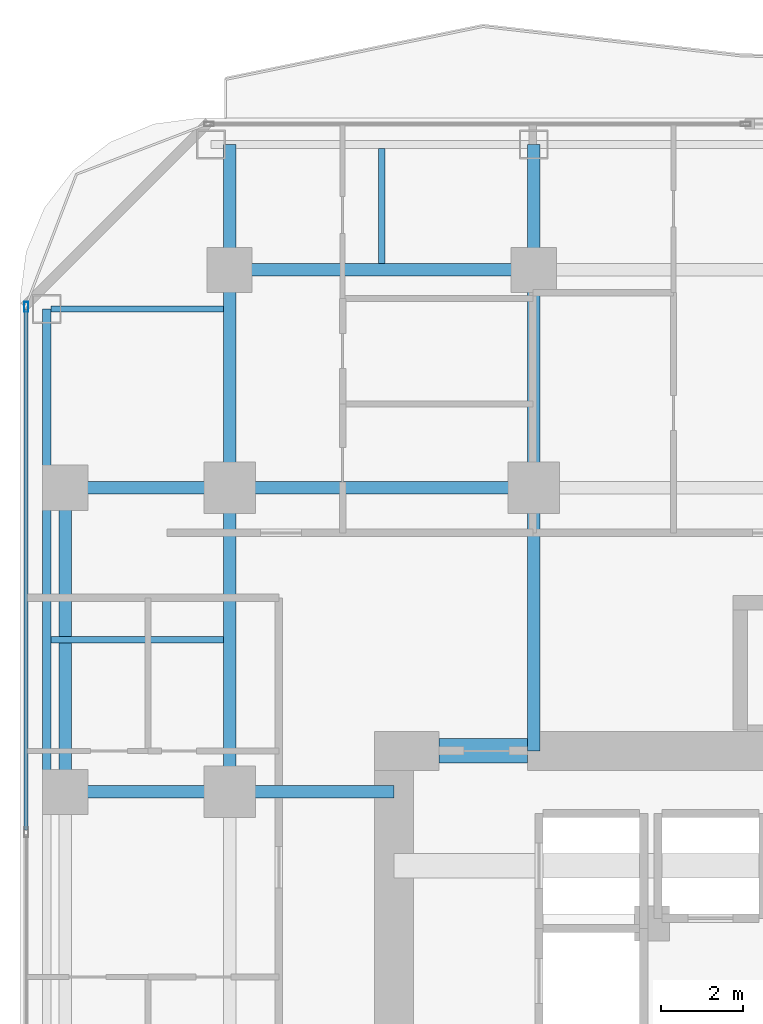
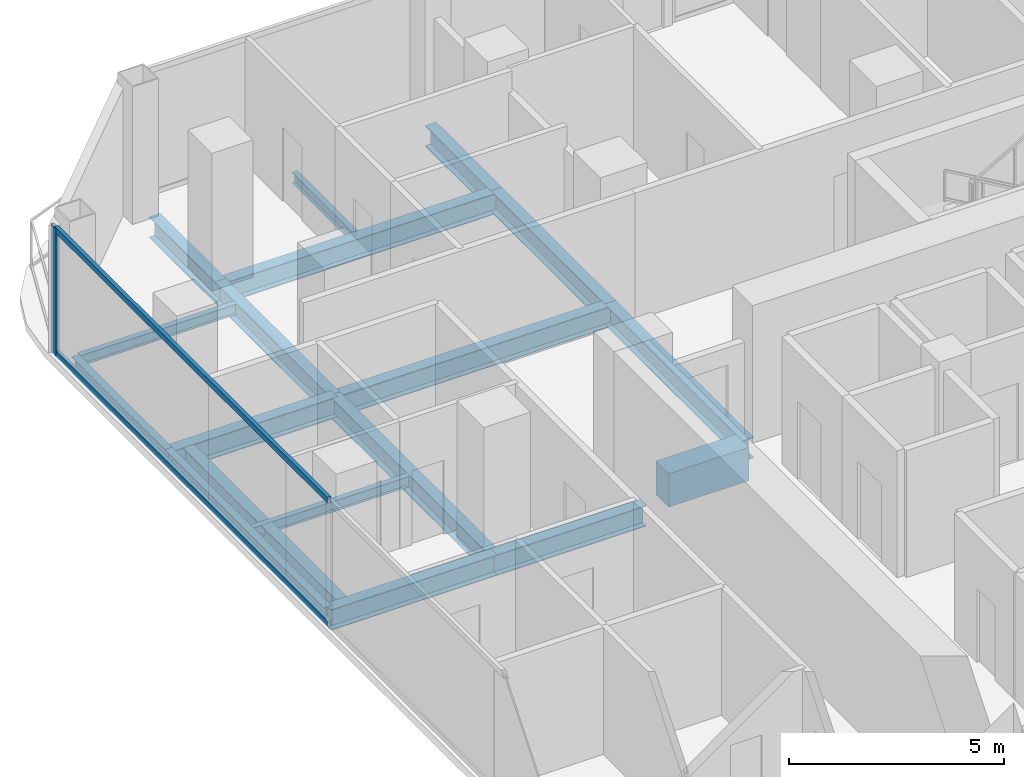
# One storey, part 12 of 27: 18 beams, 3 members, 1 element without a shape of its own.
"""IFC4 building model written with IfcOpenShell, lengths in metres."""

from ifc_helpers import new_model, si_unit, direction, frame, origin, origin_2d, place, context, subcontext, project, spatial, rectangle, hollow_rectangle, i_section, extrude, material, layer, layer_set, material_profile, profile_set, type_object, element, aggregate, save


model = new_model("IFC4")

# Units and contexts
model_context = context("Model", 3, precision=1e-05, world=origin(), true_north=direction((0.0, 1.0)))
body_context = subcontext(model_context, "Body", "Model", "MODEL_VIEW")
ifc_project = project(units=[si_unit("LENGTHUNIT", "METRE"), si_unit("AREAUNIT", "SQUARE_METRE"), si_unit("VOLUMEUNIT", "CUBIC_METRE"), si_unit("PLANEANGLEUNIT", "RADIAN"), si_unit("MASSUNIT", "GRAM", prefix="KILO")], contexts=[model_context])

# Site, building, storey
site_placement = place(None, origin())
site = spatial("IfcSite", under=ifc_project, at=site_placement, CompositionType="ELEMENT")
building_placement = place(site_placement, origin())
building = spatial("IfcBuilding", under=site, at=building_placement, Name="Khorvyn Point Tower", CompositionType="ELEMENT")
storey_placement = place(building_placement, frame((0.0, 0.0, 152.39990234375)))
storey = spatial("IfcBuildingStorey", under=building, at=storey_placement, Name="L38", CompositionType="ELEMENT", Elevation=152.39990234375)

# Curtain wall, members
ifc_material_1 = material(Name="Anodised aluminium 6063-T6 and laminated Low-E glass", Category="aluminium")
ifc_layer = layer(ifc_material_1, 0.18994140625)
ifc_layer_set = layer_set([ifc_layer], Name="Stick-Built Acoustic Curtain Wall CW-SYS-03")
curtain_wall_type = type_object("IfcCurtainWallType", Name="Stick-Built Acoustic Curtain Wall CW-SYS-03", PredefinedType="NOTDEFINED", material=ifc_layer_set)
curtain_wall_placement = place(storey_placement, origin())
curtain_wall = element("IfcCurtainWall", 1, at=curtain_wall_placement, inside=storey, type_object=curtain_wall_type, Name="Curtain Wall", PredefinedType="NOTDEFINED")
ifc_material_2 = material(Name="Anodised aluminium 6063-T6", Category="aluminium")
ifc_material_profile_1 = material_profile(ifc_material_2, hollow_rectangle(XDim=0.10009765625, YDim=0.239990234375, WallThickness=0.0048828125, at=origin_2d()))
ifc_profile_set_1 = profile_set([ifc_material_profile_1], Name="Anodised aluminium 6063-T6 ALU-MUL-100x240")
member_type_1 = type_object("IfcMemberType", Name="Anodised Aluminium 6063-T6 Mullion ALU-MUL-100x240", PredefinedType="MULLION", material=ifc_profile_set_1)
member_1_placement = place(storey_placement, frame((-19.75, 19.199951171875, 0.0), z_axis=(0.0, 0.0, 1.0), x_axis=(-1.0, 0.0, 0.0)))
member_1 = element("IfcMember", 2, at=member_1_placement, type_object=member_type_1, Name="Transom", PredefinedType="MULLION", context=body_context, shape_type="SweptSolid", body=[
    extrude(hollow_rectangle(XDim=0.10009765625, YDim=0.239990234375, WallThickness=0.0048828125, at=origin_2d()), origin(), (0.0, 0.0, 1.0), 3.60009765625),
])
ifc_material_profile_2 = material_profile(ifc_material_2, hollow_rectangle(XDim=0.10009765625, YDim=0.159912109375, WallThickness=0.00439453125, at=origin_2d()))
ifc_profile_set_2 = profile_set([ifc_material_profile_2], Name="Anodised aluminium 6063-T6 ALU-TRN-100x160")
member_type_2 = type_object("IfcMemberType", Name="Anodised Aluminium 6063-T6 Transom ALU-TRN-100x160", PredefinedType="USERDEFINED", material=ifc_profile_set_2)
member_2_placement = place(storey_placement, frame((-19.75, 6.466552734375, 0.050048828125), z_axis=(0.0, 1.0, 0.0), x_axis=(-1.0, 0.0, 0.0)))
member_2 = element("IfcMember", 3, at=member_2_placement, type_object=member_type_2, Name="Transom", ObjectType="TRANSOM", PredefinedType="USERDEFINED", context=body_context, shape_type="SweptSolid", body=[
    extrude(hollow_rectangle(XDim=0.10009765625, YDim=0.159912109375, WallThickness=0.00439453125, at=origin_2d()), origin(), (0.0, 0.0, 1.0), 12.683349609375),
])
member_3_placement = place(storey_placement, frame((-19.75, 6.466552734375, 3.550048828125), z_axis=(0.0, 1.0, 0.0), x_axis=(-1.0, 0.0, 0.0)))
member_3 = element("IfcMember", 4, at=member_3_placement, type_object=member_type_2, Name="Transom", ObjectType="TRANSOM", PredefinedType="USERDEFINED", context=body_context, shape_type="SweptSolid", body=[
    extrude(hollow_rectangle(XDim=0.10009765625, YDim=0.159912109375, WallThickness=0.00439453125, at=origin_2d()), origin(), (0.0, 0.0, 1.0), 12.683349609375),
])
aggregate(curtain_wall, [member_1, member_2, member_3])

# Beams
ifc_material_3 = material(Name="Concrete C50/60", Category="concrete")
ifc_material_profile_3 = material_profile(ifc_material_3, rectangle(XDim=0.60009765625, YDim=0.949951171875, at=origin_2d()))
ifc_profile_set_3 = profile_set([ifc_material_profile_3], Name="Concrete C50/60 RC600x950")
beam_type_1 = type_object("IfcBeamType", Name="Concrete C50/60 Beam RC600x950", PredefinedType="BEAM", material=ifc_profile_set_3)
beam_1_placement = place(storey_placement, frame((-9.699951171875, 8.39990234375, -0.69482421875), z_axis=(1.0, 0.0, 0.0), x_axis=(0.0, 1.0, 0.0)))
element("IfcBeam", 5, at=beam_1_placement, inside=storey, type_object=beam_type_1, Name="L38 Core Northwest Portal Coupling Beam", PredefinedType="BEAM", context=body_context, shape_type="SweptSolid", body=[
    extrude(rectangle(XDim=0.60009765625, YDim=0.949951171875, at=origin_2d()), origin(), (0.0, 0.0, 1.0), 2.14990234375),
])
ifc_material_4 = material(Name="Steel S355", Category="steel")
ifc_material_profile_4 = material_profile(ifc_material_4, i_section(OverallWidth=0.300048828125, OverallDepth=0.587890625, WebThickness=0.011962890625, FlangeThickness=0.02001953125, at=origin_2d()))
ifc_profile_set_4 = profile_set([ifc_material_profile_4], Name="Steel S355 H588x300x12x20")
beam_type_2 = type_object("IfcBeamType", Name="Steel S355 Beam H588x300x12x20", PredefinedType="BEAM", material=ifc_profile_set_4)
beam_2_placement = place(storey_placement, frame((-19.25, 14.800048828125, -0.513916015625), z_axis=(1.0, 0.0, 0.0), x_axis=(0.0, 1.0, 0.0)))
element("IfcBeam", 6, at=beam_2_placement, inside=storey, type_object=beam_type_2, Name="Beam", PredefinedType="BEAM", context=body_context, shape_type="SweptSolid", body=[
    extrude(i_section(OverallWidth=0.300048828125, OverallDepth=0.587890625, WebThickness=0.011962890625, FlangeThickness=0.02001953125, at=origin_2d()), origin(), (0.0, 0.0, 1.0), 4.449951171875),
])
beam_3_placement = place(storey_placement, frame((-14.800048828125, 14.800048828125, -0.513916015625), z_axis=(1.0, 0.0, 0.0), x_axis=(0.0, 1.0, 0.0)))
element("IfcBeam", 7, at=beam_3_placement, inside=storey, type_object=beam_type_2, Name="Beam", PredefinedType="BEAM", context=body_context, shape_type="SweptSolid", body=[
    extrude(i_section(OverallWidth=0.300048828125, OverallDepth=0.587890625, WebThickness=0.011962890625, FlangeThickness=0.02001953125, at=origin_2d()), origin(), (0.0, 0.0, 1.0), 7.400146484375),
])
beam_4_placement = place(storey_placement, frame((-19.25, 7.39990234375, -0.513916015625), z_axis=(1.0, 0.0, 0.0), x_axis=(0.0, 1.0, 0.0)))
element("IfcBeam", 8, at=beam_4_placement, inside=storey, type_object=beam_type_2, Name="Beam", PredefinedType="BEAM", context=body_context, shape_type="SweptSolid", body=[
    extrude(i_section(OverallWidth=0.300048828125, OverallDepth=0.587890625, WebThickness=0.011962890625, FlangeThickness=0.02001953125, at=origin_2d()), origin(), (0.0, 0.0, 1.0), 4.449951171875),
])
beam_5_placement = place(storey_placement, frame((-14.800048828125, 7.39990234375, -0.513916015625), z_axis=(1.0, 0.0, 0.0), x_axis=(0.0, 1.0, 0.0)))
element("IfcBeam", 9, at=beam_5_placement, inside=storey, type_object=beam_type_2, Name="Beam", PredefinedType="BEAM", context=body_context, shape_type="SweptSolid", body=[
    extrude(i_section(OverallWidth=0.300048828125, OverallDepth=0.587890625, WebThickness=0.011962890625, FlangeThickness=0.02001953125, at=origin_2d()), origin(), (0.0, 0.0, 1.0), 4.0),
])
for number, where, z_axis, x_axis, name in (
    (10, (-14.800048828125, 20.10009765625, -0.513916015625), (1.0, 0.0, 0.0), (0.0, 1.0, 0.0), "Beam"),
    (11, (-14.800048828125, 7.39990234375, -0.513916015625), (0.0, 1.0, 0.0), (-1.0, 0.0, 0.0), "Beam"),
):
    element("IfcBeam", number, at=place(storey_placement, frame(where, z_axis=z_axis, x_axis=x_axis)), inside=storey, type_object=beam_type_2, Name=name, PredefinedType="BEAM", context=body_context, shape_type="SweptSolid", body=[
        extrude(i_section(OverallWidth=0.300048828125, OverallDepth=0.587890625, WebThickness=0.011962890625, FlangeThickness=0.02001953125, at=origin_2d()), origin(), (0.0, 0.0, 1.0), 7.400146484375),
    ])
beam_6_placement = place(storey_placement, frame((-14.800048828125, 14.800048828125, -0.513916015625), z_axis=(0.0, 1.0, 0.0), x_axis=(-1.0, 0.0, 0.0)))
element("IfcBeam", 12, at=beam_6_placement, inside=storey, type_object=beam_type_2, Name="Beam", PredefinedType="BEAM", context=body_context, shape_type="SweptSolid", body=[
    extrude(i_section(OverallWidth=0.300048828125, OverallDepth=0.587890625, WebThickness=0.011962890625, FlangeThickness=0.02001953125, at=origin_2d()), origin(), (0.0, 0.0, 1.0), 5.300048828125),
])
beam_7_placement = place(storey_placement, frame((-14.800048828125, 20.10009765625, -0.513916015625), z_axis=(0.0, 1.0, 0.0), x_axis=(-1.0, 0.0, 0.0)))
element("IfcBeam", 13, at=beam_7_placement, inside=storey, type_object=beam_type_2, Name="Beam", PredefinedType="BEAM", context=body_context, shape_type="SweptSolid", body=[
    extrude(i_section(OverallWidth=0.300048828125, OverallDepth=0.587890625, WebThickness=0.011962890625, FlangeThickness=0.02001953125, at=origin_2d()), origin(), (0.0, 0.0, 1.0), 3.0498046875),
])
beam_8_placement = place(storey_placement, frame((-7.39990234375, 8.39990234375, -0.513916015625), z_axis=(0.0, 1.0, 0.0), x_axis=(-1.0, 0.0, 0.0)))
element("IfcBeam", 14, at=beam_8_placement, inside=storey, type_object=beam_type_2, Name="Beam", PredefinedType="BEAM", context=body_context, shape_type="SweptSolid", body=[
    extrude(i_section(OverallWidth=0.300048828125, OverallDepth=0.587890625, WebThickness=0.011962890625, FlangeThickness=0.02001953125, at=origin_2d()), origin(), (0.0, 0.0, 1.0), 6.400146484375),
])
beam_9_placement = place(storey_placement, frame((-7.39990234375, 14.800048828125, -0.513916015625), z_axis=(0.0, 1.0, 0.0), x_axis=(-1.0, 0.0, 0.0)))
element("IfcBeam", 15, at=beam_9_placement, inside=storey, type_object=beam_type_2, Name="Beam", PredefinedType="BEAM", context=body_context, shape_type="SweptSolid", body=[
    extrude(i_section(OverallWidth=0.300048828125, OverallDepth=0.587890625, WebThickness=0.011962890625, FlangeThickness=0.02001953125, at=origin_2d()), origin(), (0.0, 0.0, 1.0), 5.300048828125),
])
beam_10_placement = place(storey_placement, frame((-7.39990234375, 20.10009765625, -0.513916015625), z_axis=(0.0, 1.0, 0.0), x_axis=(-1.0, 0.0, 0.0)))
element("IfcBeam", 16, at=beam_10_placement, inside=storey, type_object=beam_type_2, Name="Beam", PredefinedType="BEAM", context=body_context, shape_type="SweptSolid", body=[
    extrude(i_section(OverallWidth=0.300048828125, OverallDepth=0.587890625, WebThickness=0.011962890625, FlangeThickness=0.02001953125, at=origin_2d()), origin(), (0.0, 0.0, 1.0), 3.0498046875),
])
beam_11_placement = place(storey_placement, frame((-18.800048828125, 7.39990234375, -0.513916015625), z_axis=(0.0, 1.0, 0.0), x_axis=(-1.0, 0.0, 0.0)))
element("IfcBeam", 17, at=beam_11_placement, inside=storey, type_object=beam_type_2, Name="Beam", PredefinedType="BEAM", context=body_context, shape_type="SweptSolid", body=[
    extrude(i_section(OverallWidth=0.300048828125, OverallDepth=0.587890625, WebThickness=0.011962890625, FlangeThickness=0.02001953125, at=origin_2d()), origin(), (0.0, 0.0, 1.0), 7.400146484375),
])
ifc_material_profile_5 = material_profile(ifc_material_4, i_section(OverallWidth=0.14990234375, OverallDepth=0.300048828125, WebThickness=0.006591796875, FlangeThickness=0.009033203125, at=origin_2d()))
ifc_profile_set_5 = profile_set([ifc_material_profile_5], Name="Steel S355 H300x150x6.5x9")
beam_type_3 = type_object("IfcBeamType", Name="Steel S355 Joist H300x150x6.5x9", PredefinedType="JOIST", material=ifc_profile_set_5)
beam_12_placement = place(storey_placement, frame((-19.14990234375, 11.10009765625, -0.369873046875), z_axis=(1.0, 0.0, 0.0), x_axis=(0.0, 1.0, 0.0)))
element("IfcBeam", 18, at=beam_12_placement, inside=storey, type_object=beam_type_3, Name="Beam", PredefinedType="JOIST", context=body_context, shape_type="SweptSolid", body=[
    extrude(i_section(OverallWidth=0.14990234375, OverallDepth=0.300048828125, WebThickness=0.006591796875, FlangeThickness=0.009033203125, at=origin_2d()), origin(), (0.0, 0.0, 1.0), 4.199951171875),
])
beam_13_placement = place(storey_placement, frame((-11.10009765625, 20.25, -0.369873046875), z_axis=(0.0, 1.0, 0.0), x_axis=(-1.0, 0.0, 0.0)))
element("IfcBeam", 19, at=beam_13_placement, inside=storey, type_object=beam_type_3, Name="Beam", PredefinedType="JOIST", context=body_context, shape_type="SweptSolid", body=[
    extrude(i_section(OverallWidth=0.14990234375, OverallDepth=0.300048828125, WebThickness=0.006591796875, FlangeThickness=0.009033203125, at=origin_2d()), origin(), (0.0, 0.0, 1.0), 2.800048828125),
])
beam_14_placement = place(storey_placement, frame((-19.14990234375, 19.14990234375, -0.369873046875), z_axis=(1.0, 0.0, 0.0), x_axis=(0.0, 1.0, 0.0)))
element("IfcBeam", 20, at=beam_14_placement, inside=storey, type_object=beam_type_3, Name="Beam", PredefinedType="JOIST", context=body_context, shape_type="SweptSolid", body=[
    extrude(i_section(OverallWidth=0.14990234375, OverallDepth=0.300048828125, WebThickness=0.006591796875, FlangeThickness=0.009033203125, at=origin_2d()), origin(), (0.0, 0.0, 1.0), 4.199951171875),
])
ifc_material_profile_6 = material_profile(ifc_material_4, i_section(OverallWidth=0.199951171875, OverallDepth=0.449951171875, WebThickness=0.009033203125, FlangeThickness=0.013916015625, at=origin_2d()))
ifc_profile_set_6 = profile_set([ifc_material_profile_6], Name="Steel S355 H450x200x9x14")
beam_type_4 = type_object("IfcBeamType", Name="Steel S355 Spandrel H450x200x9x14", PredefinedType="SPANDREL", material=ifc_profile_set_6)
beam_15_placement = place(storey_placement, frame((-19.25, 7.39990234375, -0.44482421875), z_axis=(0.0, 1.0, 0.0), x_axis=(-1.0, 0.0, 0.0)))
element("IfcBeam", 21, at=beam_15_placement, inside=storey, type_object=beam_type_4, Name="Beam", PredefinedType="SPANDREL", context=body_context, shape_type="SweptSolid", body=[
    extrude(i_section(OverallWidth=0.199951171875, OverallDepth=0.449951171875, WebThickness=0.009033203125, FlangeThickness=0.013916015625, at=origin_2d()), origin(), (0.0, 0.0, 1.0), 7.400146484375),
])
beam_16_placement = place(storey_placement, frame((-19.25, 14.800048828125, -0.44482421875), z_axis=(0.0, 1.0, 0.0), x_axis=(-1.0, 0.0, 0.0)))
element("IfcBeam", 22, at=beam_16_placement, inside=storey, type_object=beam_type_4, Name="Beam", PredefinedType="SPANDREL", context=body_context, shape_type="SweptSolid", body=[
    extrude(i_section(OverallWidth=0.199951171875, OverallDepth=0.449951171875, WebThickness=0.009033203125, FlangeThickness=0.013916015625, at=origin_2d()), origin(), (0.0, 0.0, 1.0), 4.349853515625),
])

save(model, "model.ifc")
